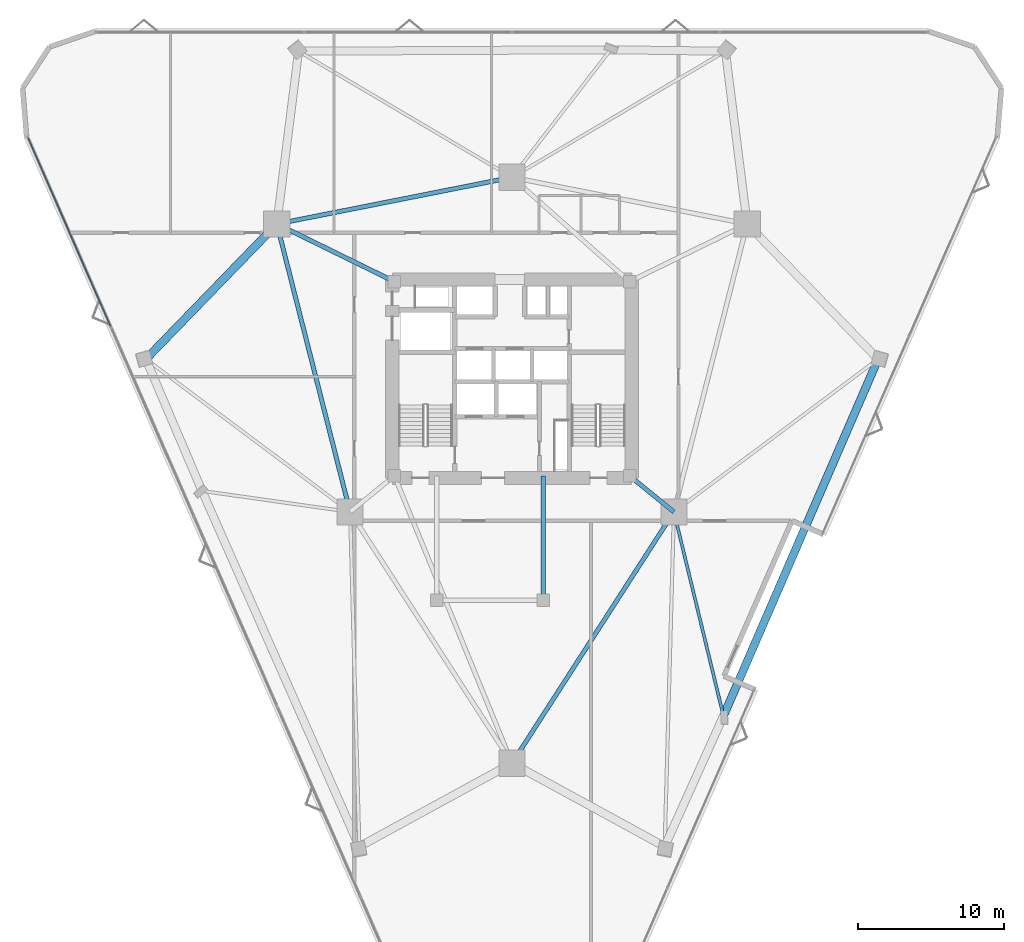
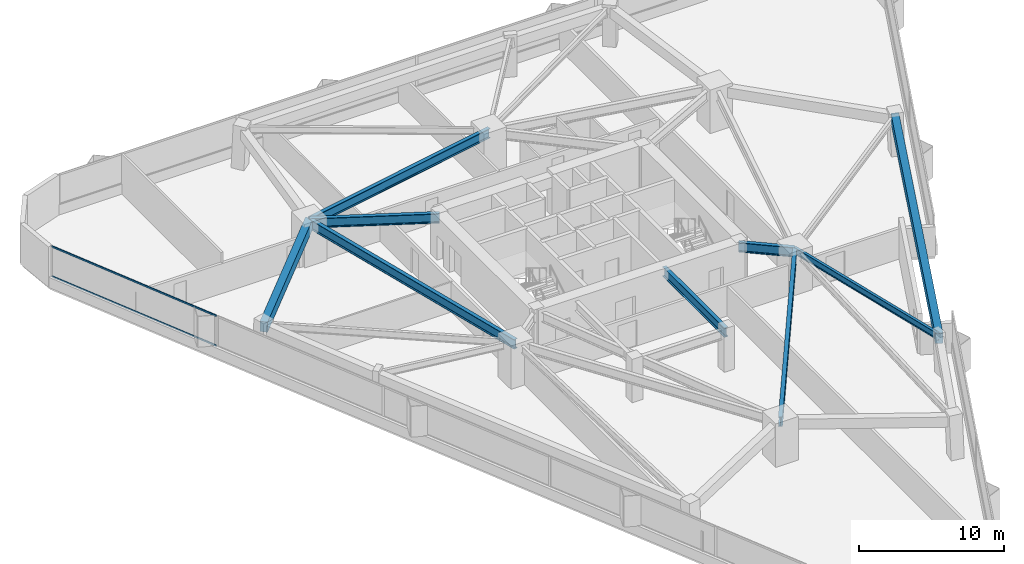
# One storey, part 5 of 14: 9 beams, 2 members, 1 element without a shape of its own.
"""IFC4 building model written with IfcOpenShell, lengths in metres."""

from ifc_helpers import new_model, si_unit, direction, frame, origin, origin_2d, place, context, subcontext, project, spatial, rectangle, i_section, extrude, material, layer, layer_set, material_profile, profile_set, type_object, element, aggregate, save


model = new_model("IFC4")

# Units and contexts
model_context = context("Model", 3, precision=1e-05, world=origin(), true_north=direction((0.0, 1.0)))
body_context = subcontext(model_context, "Body", "Model", "MODEL_VIEW")
ifc_project = project(units=[si_unit("LENGTHUNIT", "METRE"), si_unit("AREAUNIT", "SQUARE_METRE"), si_unit("VOLUMEUNIT", "CUBIC_METRE"), si_unit("PLANEANGLEUNIT", "RADIAN"), si_unit("MASSUNIT", "GRAM", prefix="KILO")], contexts=[model_context])

# Site, building, storey
site_placement = place(None, origin())
site = spatial("IfcSite", under=ifc_project, at=site_placement, CompositionType="ELEMENT")
building_placement = place(site_placement, origin())
building = spatial("IfcBuilding", under=site, at=building_placement, Name="Talyreon Biosciences Tower", CompositionType="ELEMENT")
storey_placement = place(building_placement, frame((0.0, 0.0, 52.0)))
storey = spatial("IfcBuildingStorey", under=building, at=storey_placement, Name="L13", CompositionType="ELEMENT", Elevation=52.0)

# Curtain wall, members
ifc_material_1 = material(Name="Thermally broken aluminium and low-E glazing", Category="aluminium")
ifc_layer = layer(ifc_material_1, 0.205078125)
ifc_layer_set = layer_set([ifc_layer], Name="Thermally broken aluminium and low-E glazing")
curtain_wall_type = type_object("IfcCurtainWallType", Name="CurtainWall_SkyGardenLoggia", PredefinedType="NOTDEFINED", material=ifc_layer_set)
curtain_wall_placement = place(storey_placement, origin())
curtain_wall = element("IfcCurtainWall", 1, at=curtain_wall_placement, inside=storey, type_object=curtain_wall_type, Name="L13 Unitised Curtain Wall FCW-L13-15", PredefinedType="NOTDEFINED")
ifc_material_2 = material(Name="Anodised thermally broken aluminium", Category="aluminium")
ifc_material_profile_1 = material_profile(ifc_material_2, rectangle(XDim=0.06494140625, YDim=0.139892578125, at=origin_2d()), Name="ALUM TRANSOM 65x140")
ifc_profile_set_1 = profile_set([ifc_material_profile_1], Name="Anodised thermally broken aluminium")
member_type = type_object("IfcMemberType", Name="CWTransom_65x140", PredefinedType="USERDEFINED", material=ifc_profile_set_1)
member_1_placement = place(storey_placement, frame((38.51025390625, 71.592529296875, 0.842529296875), z_axis=(-0.401093350316, 0.916037185016, 0.0), x_axis=(-0.916037185016, -0.401093350316, 0.0)))
member_1 = element("IfcMember", 2, at=member_1_placement, type_object=member_type, Name="CW7 transom 5.1", ObjectType="TRANSOM", PredefinedType="USERDEFINED", context=body_context, shape_type="SweptSolid", body=[
    extrude(rectangle(XDim=0.06494140625, YDim=0.139892578125, at=origin_2d()), origin(), (0.0, 0.0, 1.0), 14.088623046875),
])
member_2_placement = place(storey_placement, frame((38.51025390625, 71.592529296875, 3.342529296875), z_axis=(-0.401093350316, 0.916037185016, 0.0), x_axis=(-0.916037185016, -0.401093350316, 0.0)))
member_2 = element("IfcMember", 3, at=member_2_placement, type_object=member_type, Name="CW7 transom 5.2", ObjectType="TRANSOM", PredefinedType="USERDEFINED", context=body_context, shape_type="SweptSolid", body=[
    extrude(rectangle(XDim=0.06494140625, YDim=0.139892578125, at=origin_2d()), origin(), (0.0, 0.0, 1.0), 14.088623046875),
])
aggregate(curtain_wall, [member_1, member_2])

# Beams
ifc_material_3 = material(Name="Precast concrete C45/55", Category="concrete")
ifc_material_profile_2 = material_profile(ifc_material_3, rectangle(XDim=0.550048828125, YDim=0.85009765625, at=origin_2d()), Name="RCB 550x850")
ifc_profile_set_2 = profile_set([ifc_material_profile_2], Name="Precast concrete C45/55")
beam_type_1 = type_object("IfcBeamType", Name="ExpressedSpandrel_550x850", PredefinedType="SPANDREL", material=ifc_profile_set_2)
beam_1_placement = place(storey_placement, frame((80.481201171875, 44.907470703125, 2.949951171875), z_axis=(0.397570647762, 0.917571566712, 0.0), x_axis=(-0.917571566712, 0.397570647762, 0.0)))
element("IfcBeam", 4, at=beam_1_placement, inside=storey, type_object=beam_type_1, Name="L13 Expressed Horizontal Concrete Spandrel 03", PredefinedType="SPANDREL", context=body_context, shape_type="SweptSolid", body=[
    extrude(rectangle(XDim=0.550048828125, YDim=0.85009765625, at=origin_2d()), origin(), (0.0, 0.0, 1.0), 26.63134765625),
])
beam_2_placement = place(storey_placement, frame((49.897705078125, 78.5986328125, 2.949951171875), z_axis=(-0.695840417063, -0.718196431334, 0.0), x_axis=(0.718196431334, -0.695840417063, 0.0)))
element("IfcBeam", 5, at=beam_2_placement, inside=storey, type_object=beam_type_1, Name="L13 Expressed Horizontal Concrete Spandrel 09", PredefinedType="SPANDREL", context=body_context, shape_type="SweptSolid", body=[
    extrude(rectangle(XDim=0.550048828125, YDim=0.85009765625, at=origin_2d()), origin(), (0.0, 0.0, 1.0), 12.88623046875),
])
ifc_material_4 = material(Name="Steel SM355", Category="steel")
ifc_material_profile_3 = material_profile(ifc_material_4, i_section(OverallWidth=0.300048828125, OverallDepth=0.800048828125, WebThickness=0.017578125, FlangeThickness=0.032958984375, FilletRadius=0.030029296875, at=origin_2d()), Name="HE800B")
ifc_profile_set_3 = profile_set([ifc_material_profile_3], Name="Steel SM355")
beam_type_2 = type_object("IfcBeamType", Name="SteelGirder_HE800B", PredefinedType="BEAM", material=ifc_profile_set_3)
beam_3_placement = place(storey_placement, frame((66.0, 41.6669921875, 2.97509765625), z_axis=(0.541463723609, 0.840724114092, 0.0), x_axis=(-0.840724114092, 0.541463723609, 0.0)))
element("IfcBeam", 6, at=beam_3_placement, inside=storey, type_object=beam_type_2, Name="L13 Mega-Ring Girder 1", PredefinedType="BEAM", context=body_context, shape_type="SweptSolid", body=[
    extrude(i_section(OverallWidth=0.300048828125, OverallDepth=0.800048828125, WebThickness=0.017578125, FlangeThickness=0.032958984375, FilletRadius=0.030029296875, at=origin_2d()), origin(), (0.0, 0.0, 1.0), 20.474365234375),
])
beam_4_placement = place(storey_placement, frame((66.0, 81.788818359375, 2.97509765625), z_axis=(-0.980933730698, -0.194342522311, 0.0), x_axis=(0.194342522311, -0.980933730698, 0.0)))
element("IfcBeam", 7, at=beam_4_placement, inside=storey, type_object=beam_type_2, Name="L13 Mega-Ring Girder 4", PredefinedType="BEAM", context=body_context, shape_type="SweptSolid", body=[
    extrude(i_section(OverallWidth=0.300048828125, OverallDepth=0.800048828125, WebThickness=0.017578125, FlangeThickness=0.032958984375, FilletRadius=0.030029296875, at=origin_2d()), origin(), (0.0, 0.0, 1.0), 16.415283203125),
])
beam_5_placement = place(storey_placement, frame((49.897705078125, 78.5986328125, 2.97509765625), z_axis=(0.246537082299, -0.969133358755, 0.0), x_axis=(0.969133358755, 0.246537082299, 0.0)))
element("IfcBeam", 8, at=beam_5_placement, inside=storey, type_object=beam_type_2, Name="L13 Mega-Ring Girder 5", PredefinedType="BEAM", context=body_context, shape_type="SweptSolid", body=[
    extrude(i_section(OverallWidth=0.300048828125, OverallDepth=0.800048828125, WebThickness=0.017578125, FlangeThickness=0.032958984375, FilletRadius=0.030029296875, at=origin_2d()), origin(), (0.0, 0.0, 1.0), 20.34619140625),
])
beam_6_placement = place(storey_placement, frame((74.050048828125, 61.35009765625, 2.97509765625), z_axis=(0.775755154013, -0.631034025249, 0.0), x_axis=(0.631034025249, 0.775755154013, 0.0)))
element("IfcBeam", 9, at=beam_6_placement, inside=storey, type_object=beam_type_2, Name="L13 Radial Primary Girder 2", PredefinedType="BEAM", context=body_context, shape_type="SweptSolid", body=[
    extrude(i_section(OverallWidth=0.300048828125, OverallDepth=0.800048828125, WebThickness=0.017578125, FlangeThickness=0.032958984375, FilletRadius=0.030029296875, at=origin_2d()), origin(), (0.0, 0.0, 1.0), 3.913818359375),
])
beam_7_placement = place(storey_placement, frame((57.949951171875, 74.64990234375, 2.97509765625), z_axis=(-0.897852360314, 0.440296648952, 0.0), x_axis=(-0.440296648952, -0.897852360314, 0.0)))
element("IfcBeam", 10, at=beam_7_placement, inside=storey, type_object=beam_type_2, Name="L13 Radial Primary Girder 5", PredefinedType="BEAM", context=body_context, shape_type="SweptSolid", body=[
    extrude(i_section(OverallWidth=0.300048828125, OverallDepth=0.800048828125, WebThickness=0.017578125, FlangeThickness=0.032958984375, FilletRadius=0.030029296875, at=origin_2d()), origin(), (0.0, 0.0, 1.0), 8.96826171875),
])
beam_8_placement = place(storey_placement, frame((68.14990234375, 52.840087890625, 2.97509765625), z_axis=(0.0, 1.0, 0.0), x_axis=(-1.0, 0.0, 0.0)))
element("IfcBeam", 11, at=beam_8_placement, inside=storey, type_object=beam_type_2, Name="L13 Crown Shaft Tie Girder E", PredefinedType="BEAM", context=body_context, shape_type="SweptSolid", body=[
    extrude(i_section(OverallWidth=0.300048828125, OverallDepth=0.800048828125, WebThickness=0.017578125, FlangeThickness=0.032958984375, FilletRadius=0.030029296875, at=origin_2d()), origin(), (0.0, 0.0, 1.0), 8.510009765625),
])
ifc_material_profile_4 = material_profile(ifc_material_4, i_section(OverallWidth=0.2099609375, OverallDepth=0.550048828125, WebThickness=0.010986328125, FlangeThickness=0.01708984375, FilletRadius=0.02392578125, at=origin_2d()), Name="IPE550")
ifc_profile_set_4 = profile_set([ifc_material_profile_4], Name="Steel SM355")
beam_type_3 = type_object("IfcBeamType", Name="SteelJoist_IPE550", PredefinedType="JOIST", material=ifc_profile_set_4)
beam_9_placement = place(storey_placement, frame((77.086181640625, 58.88037109375, 3.10009765625), z_axis=(0.236102456398, -0.971728166764, 0.0), x_axis=(0.971728166764, 0.236102456398, 0.0)))
element("IfcBeam", 12, at=beam_9_placement, inside=storey, type_object=beam_type_3, Name="L13 Radial Composite Floor Joist PL-SE", PredefinedType="JOIST", context=body_context, shape_type="SweptSolid", body=[
    extrude(i_section(OverallWidth=0.2099609375, OverallDepth=0.550048828125, WebThickness=0.010986328125, FlangeThickness=0.01708984375, FilletRadius=0.02392578125, at=origin_2d()), origin(), (0.0, 0.0, 1.0), 14.37939453125),
])

save(model, "model.ifc")
